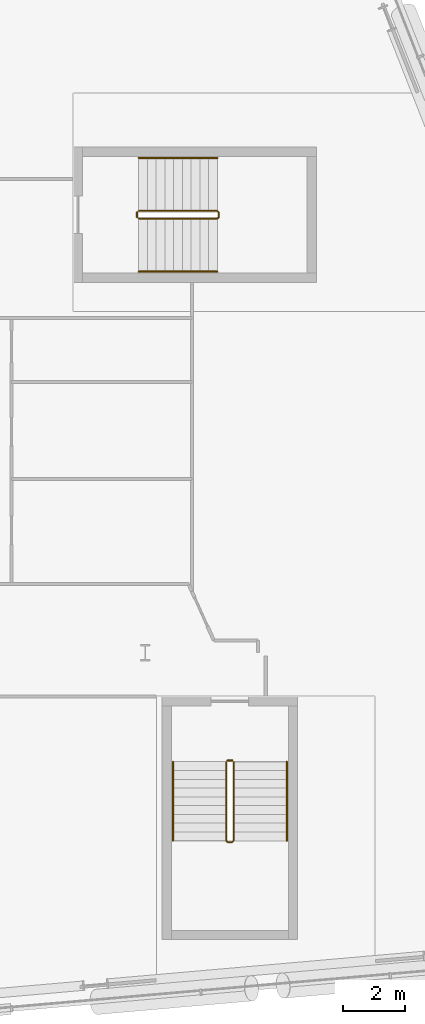
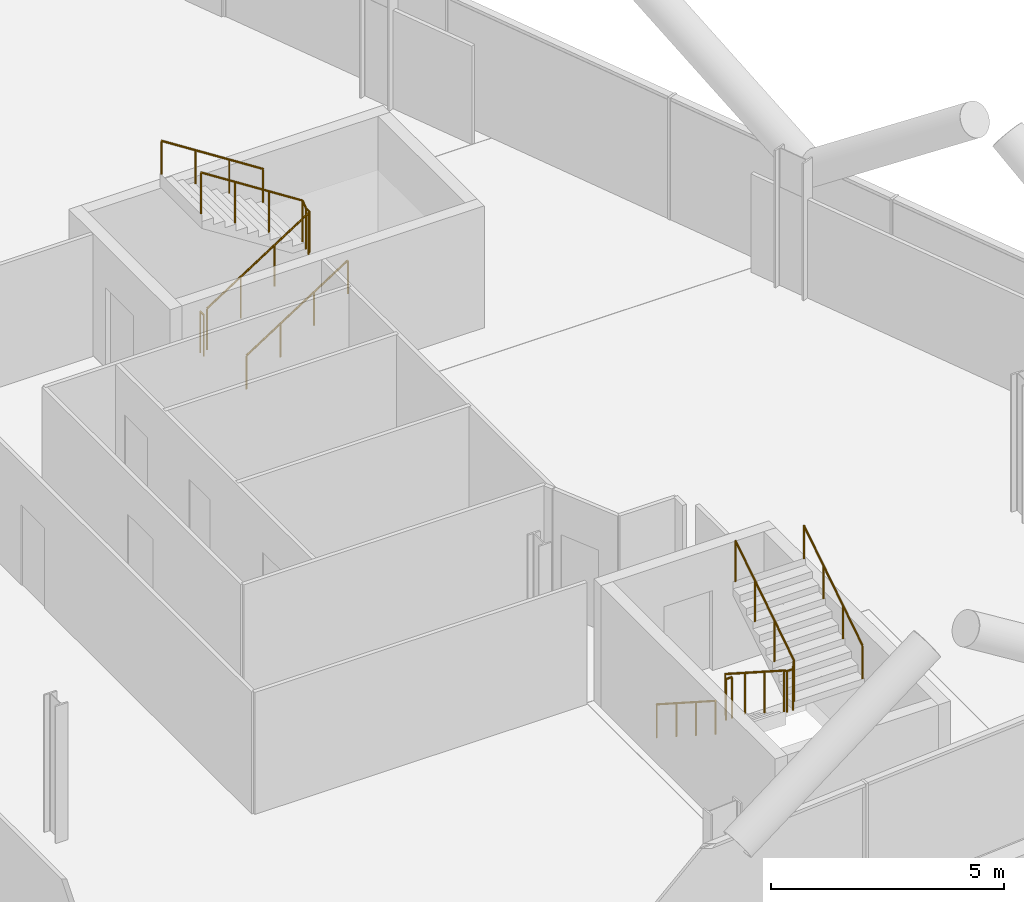
# One storey, part 25 of 25: 8 railings.
"""IFC4 building model written with IfcOpenShell, lengths in metres."""

from ifc_helpers import new_model, si_unit, direction, frame, origin, origin_2d, place, context, subcontext, project, spatial, circle, extrude, material, type_object, element, save


model = new_model("IFC4")

# Units and contexts
model_context = context("Model", 3, precision=1e-05, world=origin(), true_north=direction((0.0, 1.0)))
body_context = subcontext(model_context, "Body", "Model", "MODEL_VIEW")
ifc_project = project(units=[si_unit("LENGTHUNIT", "METRE"), si_unit("AREAUNIT", "SQUARE_METRE"), si_unit("VOLUMEUNIT", "CUBIC_METRE"), si_unit("PLANEANGLEUNIT", "RADIAN"), si_unit("MASSUNIT", "GRAM", prefix="KILO")], contexts=[model_context])

# Site, building, storey
site_placement = place(None, origin())
site = spatial("IfcSite", under=ifc_project, at=site_placement, CompositionType="ELEMENT")
building_placement = place(site_placement, origin())
building = spatial("IfcBuilding", under=site, at=building_placement, Name="Wharfspan Tower", CompositionType="ELEMENT")
storey_placement = place(building_placement, frame((0.0, 0.0, 129.100098)))
storey = spatial("IfcBuildingStorey", under=building, at=storey_placement, Name="L30", CompositionType="ELEMENT", Elevation=129.100098)

# Railings
ifc_material = material(Name="Steel S355J2", Category="steel")
railing_type_1 = type_object("IfcRailingType", Name="Stair guard 1100", PredefinedType="GUARDRAIL", material=ifc_material)
railing_1_placement = place(storey_placement, frame((74.591064, 7.994629, 0.179932)))
element("IfcRailing", 1, at=railing_1_placement, inside=storey, type_object=railing_type_1, Name="L30 ST5 stair guard 1", PredefinedType="GUARDRAIL", context=body_context, shape_type="SweptSolid", body=[
    extrude(circle(Radius=0.023926, at=origin_2d()), frame((0.0, 0.0, 1.076172), z_axis=(0.0, -0.8412, 0.540725), x_axis=(1.0, 0.0, 0.0)), (0.0, 0.0, 1.0), 2.99585),
    extrude(circle(Radius=0.023926, at=origin_2d()), frame((0.0, -2.52002, 2.695801), z_axis=(0.707107, -0.707107, 0.0), x_axis=(0.707107, 0.707107, 0.0)), (0.0, 0.0, 1.0), 0.070801),
    extrude(circle(Radius=0.023926, at=origin_2d()), frame((0.050049, -2.570068, 2.695801), z_axis=(1.0, 0.0, 0.0), x_axis=(0.0, 1.0, 0.0)), (0.0, 0.0, 1.0), 0.149902),
    extrude(circle(Radius=0.023926, at=origin_2d()), frame((0.199951, -2.570068, 2.695801), z_axis=(0.258544, 0.258544, 0.930758), x_axis=(-0.707107, 0.707107, 0.0)), (0.0, 0.0, 1.0), 0.193604),
    extrude(circle(Radius=0.023926, at=origin_2d()), frame((0.25, -2.52002, 2.875977), z_axis=(0.0, 0.8412, 0.540725), x_axis=(-1.0, 0.0, 0.0)), (0.0, 0.0, 1.0), 2.99585),
    extrude(circle(Radius=0.020996, at=origin_2d()), origin(), (0.0, 0.0, 1.0), 1.052002),
    extrude(circle(Radius=0.020996, at=origin_2d()), frame((0.0, -0.840088, 0.540039)), (0.0, 0.0, 1.0), 1.052002),
    extrude(circle(Radius=0.020996, at=origin_2d()), frame((0.0, -1.679932, 1.079834)), (0.0, 0.0, 1.0), 1.052002),
    extrude(circle(Radius=0.020996, at=origin_2d()), frame((0.0, -2.52002, 1.619873)), (0.0, 0.0, 1.0), 1.052002),
    extrude(circle(Radius=0.020996, at=origin_2d()), frame((0.050049, -2.570068, 1.619873)), (0.0, 0.0, 1.0), 1.052002),
    extrude(circle(Radius=0.020996, at=origin_2d()), frame((0.199951, -2.570068, 1.619873)), (0.0, 0.0, 1.0), 1.052002),
    extrude(circle(Radius=0.020996, at=origin_2d()), frame((0.25, -2.52002, 1.800049)), (0.0, 0.0, 1.0), 1.052002),
    extrude(circle(Radius=0.020996, at=origin_2d()), frame((0.25, -1.679932, 2.340088)), (0.0, 0.0, 1.0), 1.052002),
    extrude(circle(Radius=0.020996, at=origin_2d()), frame((0.25, -0.840088, 2.879883)), (0.0, 0.0, 1.0), 1.052002),
    extrude(circle(Radius=0.020996, at=origin_2d()), frame((0.25, 0.0, 3.419922)), (0.0, 0.0, 1.0), 1.052002),
])
railing_2_placement = place(storey_placement, frame((74.641113, 8.044678, 0.0)))
element("IfcRailing", 2, at=railing_2_placement, inside=storey, type_object=railing_type_1, Name="L30 ST5 stair guard 2", PredefinedType="GUARDRAIL", context=body_context, shape_type="SweptSolid", body=[
    extrude(circle(Radius=0.023926, at=origin_2d()), frame((0.0, 0.0, 1.076172), z_axis=(1.0, 0.0, 0.0), x_axis=(0.0, 1.0, 0.0)), (0.0, 0.0, 1.0), 0.149902),
    extrude(circle(Radius=0.020996, at=origin_2d()), origin(), (0.0, 0.0, 1.0), 1.052002),
    extrude(circle(Radius=0.020996, at=origin_2d()), frame((0.149902, 0.0, 0.0)), (0.0, 0.0, 1.0), 1.052002),
])
railing_3_placement = place(storey_placement, frame((71.790283, 25.425049, 0.179932)))
element("IfcRailing", 3, at=railing_3_placement, inside=storey, type_object=railing_type_1, Name="L30 ST6 stair guard 1", PredefinedType="GUARDRAIL", context=body_context, shape_type="SweptSolid", body=[
    extrude(circle(Radius=0.023926, at=origin_2d()), frame((0.0, 0.0, 1.076172), z_axis=(0.8412, 0.0, 0.540725), x_axis=(0.0, 1.0, 0.0)), (0.0, 0.0, 1.0), 2.99585),
    extrude(circle(Radius=0.023926, at=origin_2d()), frame((2.52002, 0.0, 2.695801), z_axis=(0.707107, 0.707107, 0.0), x_axis=(-0.707107, 0.707107, 0.0)), (0.0, 0.0, 1.0), 0.070801),
    extrude(circle(Radius=0.023926, at=origin_2d()), frame((2.570068, 0.050049, 2.695801), z_axis=(0.0, 1.0, 0.0), x_axis=(-1.0, 0.0, 0.0)), (0.0, 0.0, 1.0), 0.149902),
    extrude(circle(Radius=0.023926, at=origin_2d()), frame((2.570068, 0.199951, 2.695801), z_axis=(-0.258544, 0.258544, 0.930758), x_axis=(-0.707107, -0.707107, 0.0)), (0.0, 0.0, 1.0), 0.193604),
    extrude(circle(Radius=0.023926, at=origin_2d()), frame((2.52002, 0.25, 2.875977), z_axis=(-0.8412, 0.0, 0.540725), x_axis=(0.0, -1.0, 0.0)), (0.0, 0.0, 1.0), 2.99585),
    extrude(circle(Radius=0.020996, at=origin_2d()), origin(), (0.0, 0.0, 1.0), 1.052002),
    extrude(circle(Radius=0.020996, at=origin_2d()), frame((0.840088, 0.0, 0.540039)), (0.0, 0.0, 1.0), 1.052002),
    extrude(circle(Radius=0.020996, at=origin_2d()), frame((1.679932, 0.0, 1.079834)), (0.0, 0.0, 1.0), 1.052002),
    extrude(circle(Radius=0.020996, at=origin_2d()), frame((2.52002, 0.0, 1.619873)), (0.0, 0.0, 1.0), 1.052002),
    extrude(circle(Radius=0.020996, at=origin_2d()), frame((2.570068, 0.050049, 1.619873)), (0.0, 0.0, 1.0), 1.052002),
    extrude(circle(Radius=0.020996, at=origin_2d()), frame((2.570068, 0.199951, 1.619873)), (0.0, 0.0, 1.0), 1.052002),
    extrude(circle(Radius=0.020996, at=origin_2d()), frame((2.52002, 0.25, 1.800049)), (0.0, 0.0, 1.0), 1.052002),
    extrude(circle(Radius=0.020996, at=origin_2d()), frame((1.679932, 0.25, 2.340088)), (0.0, 0.0, 1.0), 1.052002),
    extrude(circle(Radius=0.020996, at=origin_2d()), frame((0.840088, 0.25, 2.879883)), (0.0, 0.0, 1.0), 1.052002),
    extrude(circle(Radius=0.020996, at=origin_2d()), frame((0.0, 0.25, 3.419922)), (0.0, 0.0, 1.0), 1.052002),
])
railing_4_placement = place(storey_placement, frame((71.740479, 25.475098, 0.0)))
element("IfcRailing", 4, at=railing_4_placement, inside=storey, type_object=railing_type_1, Name="L30 ST6 stair guard 2", PredefinedType="GUARDRAIL", context=body_context, shape_type="SweptSolid", body=[
    extrude(circle(Radius=0.023926, at=origin_2d()), frame((0.0, 0.0, 1.076172), z_axis=(0.0, 1.0, 0.0), x_axis=(-1.0, 0.0, 0.0)), (0.0, 0.0, 1.0), 0.149902),
    extrude(circle(Radius=0.020996, at=origin_2d()), origin(), (0.0, 0.0, 1.0), 1.052002),
    extrude(circle(Radius=0.020996, at=origin_2d()), frame((0.0, 0.149902, 0.0)), (0.0, 0.0, 1.0), 1.052002),
])
railing_type_2 = type_object("IfcRailingType", Name="Stair handrail 900", PredefinedType="HANDRAIL", material=ifc_material)
railing_5_placement = place(storey_placement, frame((72.891113, 7.994629, 0.179932)))
element("IfcRailing", 5, at=railing_5_placement, inside=storey, type_object=railing_type_2, Name="L30 ST5 stair handrail 1", PredefinedType="HANDRAIL", context=body_context, shape_type="SweptSolid", body=[
    extrude(circle(Radius=0.023926, at=origin_2d()), frame((0.0, 0.0, 0.875977), z_axis=(0.0, -0.8412, 0.540725), x_axis=(1.0, 0.0, 0.0)), (0.0, 0.0, 1.0), 2.99585),
    extrude(circle(Radius=0.020996, at=origin_2d()), origin(), (0.0, 0.0, 1.0), 0.851807),
    extrude(circle(Radius=0.020996, at=origin_2d()), frame((0.0, -0.840088, 0.540039)), (0.0, 0.0, 1.0), 0.851807),
    extrude(circle(Radius=0.020996, at=origin_2d()), frame((0.0, -1.679932, 1.079834)), (0.0, 0.0, 1.0), 0.851807),
    extrude(circle(Radius=0.020996, at=origin_2d()), frame((0.0, -2.52002, 1.619873)), (0.0, 0.0, 1.0), 0.851807),
])
railing_6_placement = place(storey_placement, frame((76.541016, 5.474609, 1.97998)))
element("IfcRailing", 6, at=railing_6_placement, inside=storey, type_object=railing_type_2, Name="L30 ST5 stair handrail 2", PredefinedType="HANDRAIL", context=body_context, shape_type="SweptSolid", body=[
    extrude(circle(Radius=0.023926, at=origin_2d()), frame((0.0, 0.0, 0.875977), z_axis=(0.0, 0.8412, 0.540725), x_axis=(-1.0, 0.0, 0.0)), (0.0, 0.0, 1.0), 2.99585),
    extrude(circle(Radius=0.020996, at=origin_2d()), origin(), (0.0, 0.0, 1.0), 0.851807),
    extrude(circle(Radius=0.020996, at=origin_2d()), frame((0.0, 0.840088, 0.540039)), (0.0, 0.0, 1.0), 0.851807),
    extrude(circle(Radius=0.020996, at=origin_2d()), frame((0.0, 1.679932, 1.079834)), (0.0, 0.0, 1.0), 0.851807),
    extrude(circle(Radius=0.020996, at=origin_2d()), frame((0.0, 2.52002, 1.619873)), (0.0, 0.0, 1.0), 0.851807),
])
railing_7_placement = place(storey_placement, frame((71.790283, 23.725098, 0.179932)))
element("IfcRailing", 7, at=railing_7_placement, inside=storey, type_object=railing_type_2, Name="L30 ST6 stair handrail 1", PredefinedType="HANDRAIL", context=body_context, shape_type="SweptSolid", body=[
    extrude(circle(Radius=0.023926, at=origin_2d()), frame((0.0, 0.0, 0.875977), z_axis=(0.8412, 0.0, 0.540725), x_axis=(0.0, 1.0, 0.0)), (0.0, 0.0, 1.0), 2.99585),
    extrude(circle(Radius=0.020996, at=origin_2d()), origin(), (0.0, 0.0, 1.0), 0.851807),
    extrude(circle(Radius=0.020996, at=origin_2d()), frame((0.840088, 0.0, 0.540039)), (0.0, 0.0, 1.0), 0.851807),
    extrude(circle(Radius=0.020996, at=origin_2d()), frame((1.679932, 0.0, 1.079834)), (0.0, 0.0, 1.0), 0.851807),
    extrude(circle(Radius=0.020996, at=origin_2d()), frame((2.52002, 0.0, 1.619873)), (0.0, 0.0, 1.0), 0.851807),
])
railing_8_placement = place(storey_placement, frame((74.310303, 27.375, 1.97998)))
element("IfcRailing", 8, at=railing_8_placement, inside=storey, type_object=railing_type_2, Name="L30 ST6 stair handrail 2", PredefinedType="HANDRAIL", context=body_context, shape_type="SweptSolid", body=[
    extrude(circle(Radius=0.023926, at=origin_2d()), frame((0.0, 0.0, 0.875977), z_axis=(-0.8412, 0.0, 0.540725), x_axis=(0.0, -1.0, 0.0)), (0.0, 0.0, 1.0), 2.99585),
    extrude(circle(Radius=0.020996, at=origin_2d()), origin(), (0.0, 0.0, 1.0), 0.851807),
    extrude(circle(Radius=0.020996, at=origin_2d()), frame((-0.840088, 0.0, 0.540039)), (0.0, 0.0, 1.0), 0.851807),
    extrude(circle(Radius=0.020996, at=origin_2d()), frame((-1.679932, 0.0, 1.079834)), (0.0, 0.0, 1.0), 0.851807),
    extrude(circle(Radius=0.020996, at=origin_2d()), frame((-2.52002, 0.0, 1.619873)), (0.0, 0.0, 1.0), 0.851807),
])

save(model, "model.ifc")
